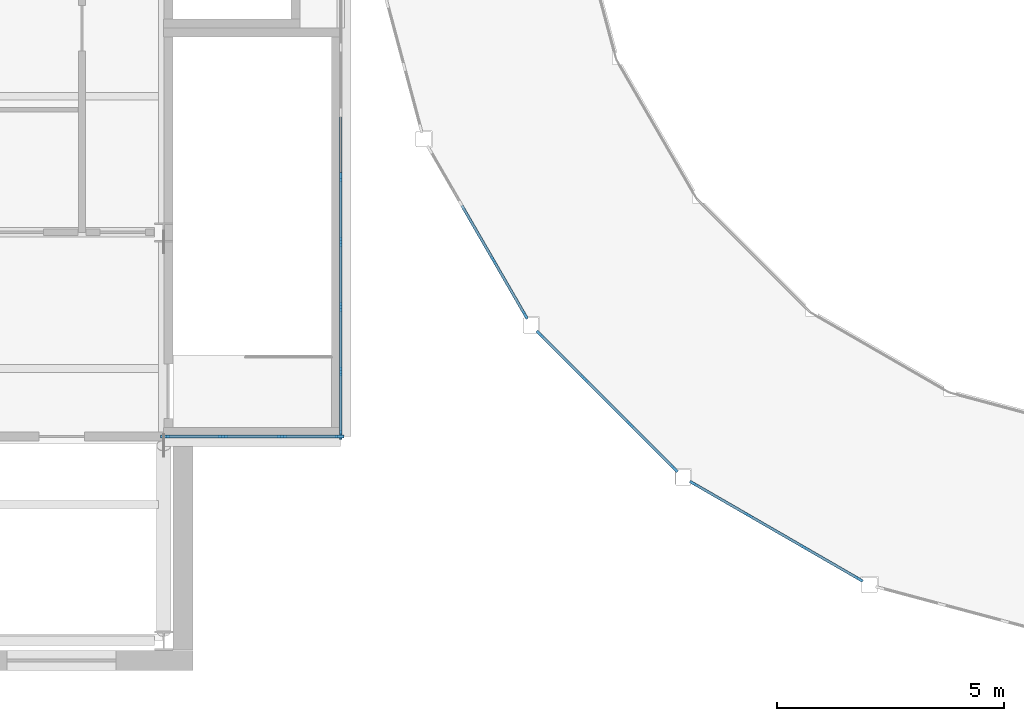
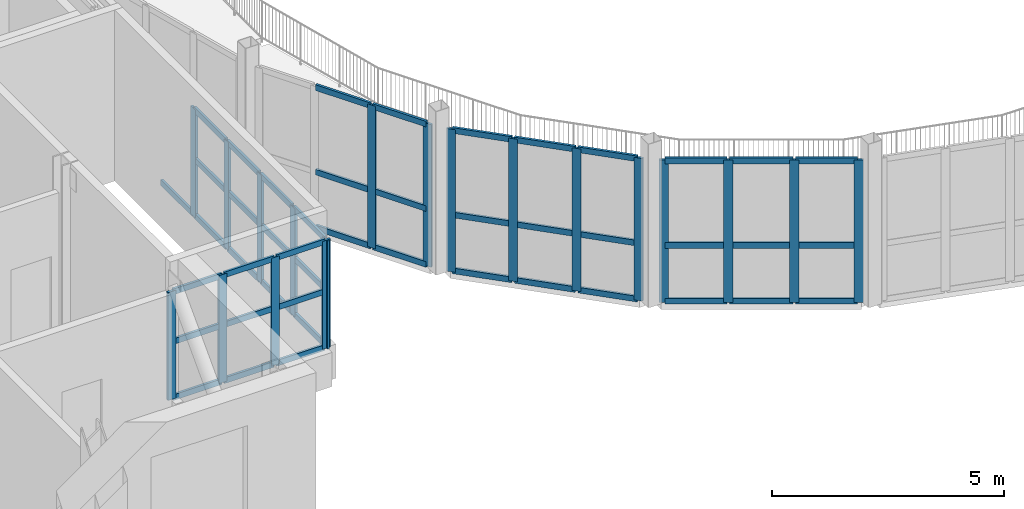
# One storey, part 12 of 74: 65 members, 5 elements without a shape of their own.
"""IFC4 building model written with IfcOpenShell, lengths in metres."""

from ifc_helpers import new_model, si_unit, direction, frame, origin, origin_2d, place, context, subcontext, project, spatial, rectangle, extrude, material, layer, layer_set, material_profile, profile_set, type_object, element, aggregate, save


model = new_model("IFC4")

# Units and contexts
model_context = context("Model", 3, precision=1e-05, world=origin(), true_north=direction((0.0, 1.0)))
body_context = subcontext(model_context, "Body", "Model", "MODEL_VIEW")
ifc_project = project(units=[si_unit("LENGTHUNIT", "METRE"), si_unit("AREAUNIT", "SQUARE_METRE"), si_unit("VOLUMEUNIT", "CUBIC_METRE"), si_unit("PLANEANGLEUNIT", "RADIAN"), si_unit("MASSUNIT", "GRAM", prefix="KILO")], contexts=[model_context])

# Site, building, storey
site_placement = place(None, origin())
site = spatial("IfcSite", under=ifc_project, at=site_placement, CompositionType="ELEMENT")
building_placement = place(site_placement, origin())
building = spatial("IfcBuilding", under=site, at=building_placement, Name="Hortulan Conservatory and Botanical Research Centre", CompositionType="ELEMENT")
storey_placement = place(building_placement, frame((0.0, 0.0, 6.0)))
storey = spatial("IfcBuildingStorey", under=building, at=storey_placement, Name="L01", CompositionType="ELEMENT", Elevation=6.0)

# Curtain wall, members
ifc_material = material(Name="Bronze-finished aluminium", Category="aluminium")
ifc_layer = layer(ifc_material, 0.10009765625)
ifc_layer_set = layer_set([ifc_layer], Name="Bronze-framed Curtain Wall 1500 module")
curtain_wall_type = type_object("IfcCurtainWallType", Name="Bronze-framed Curtain Wall 1500 module", PredefinedType="NOTDEFINED", material=ifc_layer_set)
curtain_wall_1_placement = place(storey_placement, origin())
curtain_wall_1 = element("IfcCurtainWall", 1, at=curtain_wall_1_placement, inside=storey, type_object=curtain_wall_type, Name="Curtain wall", PredefinedType="NOTDEFINED")
ifc_material_profile_1 = material_profile(ifc_material, rectangle(XDim=0.06005859375, YDim=0.199951171875, at=origin_2d()), Name="Bronze Mullion 60x200")
ifc_profile_set_1 = profile_set([ifc_material_profile_1], Name="Bronze-finished aluminium")
member_type_1 = type_object("IfcMemberType", Name="Bronze Mullion 60x200", PredefinedType="MULLION", material=ifc_profile_set_1)
member_1_placement = place(storey_placement, frame((39.461669921875, 7.18115234375, 0.0), z_axis=(0.0, 0.0, 1.0), x_axis=(-0.866036280655, -0.499981160235, 0.0)))
member_1 = element("IfcMember", 2, at=member_1_placement, type_object=member_type_1, Name="CW1 mullion 1", PredefinedType="MULLION", context=body_context, shape_type="SweptSolid", body=[
    extrude(rectangle(XDim=0.06005859375, YDim=0.199951171875, at=origin_2d()), origin(), (0.0, 0.0, 1.0), 3.75),
])
member_2_placement = place(storey_placement, frame((38.7666015625, 8.385009765625, 0.0), z_axis=(0.0, 0.0, 1.0), x_axis=(-0.866036280655, -0.499981160235, 0.0)))
member_2 = element("IfcMember", 3, at=member_2_placement, type_object=member_type_1, Name="CW1 mullion 2", PredefinedType="MULLION", context=body_context, shape_type="SweptSolid", body=[
    extrude(rectangle(XDim=0.06005859375, YDim=0.199951171875, at=origin_2d()), origin(), (0.0, 0.0, 1.0), 3.75),
])

curtain_wall_2_placement = place(storey_placement, origin())
curtain_wall_2 = element("IfcCurtainWall", 4, at=curtain_wall_2_placement, inside=storey, type_object=curtain_wall_type, Name="Curtain wall", PredefinedType="NOTDEFINED")
member_3_placement = place(storey_placement, frame((42.751708984375, 3.792236328125, 0.0), z_axis=(0.0, 0.0, 1.0), x_axis=(-0.707130335318, -0.70708322627, 0.0)))
member_3 = element("IfcMember", 5, at=member_3_placement, type_object=member_type_1, Name="CW1 mullion 1", PredefinedType="MULLION", context=body_context, shape_type="SweptSolid", body=[
    extrude(rectangle(XDim=0.06005859375, YDim=0.199951171875, at=origin_2d()), origin(), (0.0, 0.0, 1.0), 3.75),
])
member_4_placement = place(storey_placement, frame((41.7724609375, 4.771728515625, 0.0), z_axis=(0.0, 0.0, 1.0), x_axis=(-0.707130335318, -0.70708322627, 0.0)))
member_4 = element("IfcMember", 6, at=member_4_placement, type_object=member_type_1, Name="CW1 mullion 2", PredefinedType="MULLION", context=body_context, shape_type="SweptSolid", body=[
    extrude(rectangle(XDim=0.06005859375, YDim=0.199951171875, at=origin_2d()), origin(), (0.0, 0.0, 1.0), 3.75),
])
member_5_placement = place(storey_placement, frame((40.771728515625, 5.7724609375, 0.0), z_axis=(0.0, 0.0, 1.0), x_axis=(-0.707130335318, -0.70708322627, 0.0)))
member_5 = element("IfcMember", 7, at=member_5_placement, type_object=member_type_1, Name="CW1 mullion 3", PredefinedType="MULLION", context=body_context, shape_type="SweptSolid", body=[
    extrude(rectangle(XDim=0.06005859375, YDim=0.199951171875, at=origin_2d()), origin(), (0.0, 0.0, 1.0), 3.75),
])
member_6_placement = place(storey_placement, frame((39.792236328125, 6.751953125, 0.0), z_axis=(0.0, 0.0, 1.0), x_axis=(-0.707130335318, -0.70708322627, 0.0)))
member_6 = element("IfcMember", 8, at=member_6_placement, type_object=member_type_1, Name="CW1 mullion 4", PredefinedType="MULLION", context=body_context, shape_type="SweptSolid", body=[
    extrude(rectangle(XDim=0.06005859375, YDim=0.199951171875, at=origin_2d()), origin(), (0.0, 0.0, 1.0), 3.75),
])

curtain_wall_3_placement = place(storey_placement, origin())
curtain_wall_3 = element("IfcCurtainWall", 9, at=curtain_wall_3_placement, inside=storey, type_object=curtain_wall_type, Name="Curtain wall", PredefinedType="NOTDEFINED")
member_7_placement = place(storey_placement, frame((46.81884765625, 1.361328125, 0.0), z_axis=(0.0, 0.0, 1.0), x_axis=(-0.499981160235, -0.866036280655, 0.0)))
member_7 = element("IfcMember", 10, at=member_7_placement, type_object=member_type_1, Name="CW1 mullion 1", PredefinedType="MULLION", context=body_context, shape_type="SweptSolid", body=[
    extrude(rectangle(XDim=0.06005859375, YDim=0.199951171875, at=origin_2d()), origin(), (0.0, 0.0, 1.0), 3.75),
])
member_8_placement = place(storey_placement, frame((45.614990234375, 2.056396484375, 0.0), z_axis=(0.0, 0.0, 1.0), x_axis=(-0.499981160235, -0.866036280655, 0.0)))
member_8 = element("IfcMember", 11, at=member_8_placement, type_object=member_type_1, Name="CW1 mullion 2", PredefinedType="MULLION", context=body_context, shape_type="SweptSolid", body=[
    extrude(rectangle(XDim=0.06005859375, YDim=0.199951171875, at=origin_2d()), origin(), (0.0, 0.0, 1.0), 3.75),
])
member_9_placement = place(storey_placement, frame((44.385009765625, 2.7666015625, 0.0), z_axis=(0.0, 0.0, 1.0), x_axis=(-0.499981160235, -0.866036280655, 0.0)))
member_9 = element("IfcMember", 12, at=member_9_placement, type_object=member_type_1, Name="CW1 mullion 3", PredefinedType="MULLION", context=body_context, shape_type="SweptSolid", body=[
    extrude(rectangle(XDim=0.06005859375, YDim=0.199951171875, at=origin_2d()), origin(), (0.0, 0.0, 1.0), 3.75),
])
member_10_placement = place(storey_placement, frame((43.18115234375, 3.461669921875, 0.0), z_axis=(0.0, 0.0, 1.0), x_axis=(-0.499981160235, -0.866036280655, 0.0)))
member_10 = element("IfcMember", 13, at=member_10_placement, type_object=member_type_1, Name="CW1 mullion 4", PredefinedType="MULLION", context=body_context, shape_type="SweptSolid", body=[
    extrude(rectangle(XDim=0.06005859375, YDim=0.199951171875, at=origin_2d()), origin(), (0.0, 0.0, 1.0), 3.75),
])

curtain_wall_4_placement = place(storey_placement, origin())
curtain_wall_4 = element("IfcCurtainWall", 14, at=curtain_wall_4_placement, inside=storey, type_object=curtain_wall_type, Name="Curtain wall", PredefinedType="NOTDEFINED")
member_11_placement = place(storey_placement, frame((35.3701171875, 4.5, 0.89990234375), z_axis=(0.0, 0.0, 1.0), x_axis=(0.0, -1.0, 0.0)))
member_11 = element("IfcMember", 15, at=member_11_placement, type_object=member_type_1, Name="CW1 mullion 1", PredefinedType="MULLION", context=body_context, shape_type="SweptSolid", body=[
    extrude(rectangle(XDim=0.06005859375, YDim=0.199951171875, at=origin_2d()), origin(), (0.0, 0.0, 1.0), 2.840087890625),
])
member_12_placement = place(storey_placement, frame((34.10009765625, 4.5, 0.89990234375), z_axis=(0.0, 0.0, 1.0), x_axis=(0.0, -1.0, 0.0)))
member_12 = element("IfcMember", 16, at=member_12_placement, type_object=member_type_1, Name="CW1 mullion 2", PredefinedType="MULLION", context=body_context, shape_type="SweptSolid", body=[
    extrude(rectangle(XDim=0.06005859375, YDim=0.199951171875, at=origin_2d()), origin(), (0.0, 0.0, 1.0), 2.840087890625),
])
member_13_placement = place(storey_placement, frame((32.800048828125, 4.5, 0.89990234375), z_axis=(0.0, 0.0, 1.0), x_axis=(0.0, -1.0, 0.0)))
member_13 = element("IfcMember", 17, at=member_13_placement, type_object=member_type_1, Name="CW1 mullion 3", PredefinedType="MULLION", context=body_context, shape_type="SweptSolid", body=[
    extrude(rectangle(XDim=0.06005859375, YDim=0.199951171875, at=origin_2d()), origin(), (0.0, 0.0, 1.0), 2.840087890625),
])
member_14_placement = place(storey_placement, frame((31.530029296875, 4.5, 0.89990234375), z_axis=(0.0, 0.0, 1.0), x_axis=(0.0, -1.0, 0.0)))
member_14 = element("IfcMember", 18, at=member_14_placement, type_object=member_type_1, Name="CW1 mullion 4", PredefinedType="MULLION", context=body_context, shape_type="SweptSolid", body=[
    extrude(rectangle(XDim=0.06005859375, YDim=0.199951171875, at=origin_2d()), origin(), (0.0, 0.0, 1.0), 2.840087890625),
])

curtain_wall_5_placement = place(storey_placement, origin())
curtain_wall_5 = element("IfcCurtainWall", 19, at=curtain_wall_5_placement, inside=storey, type_object=curtain_wall_type, Name="Curtain wall", PredefinedType="NOTDEFINED")
member_15_placement = place(storey_placement, frame((35.39990234375, 10.215087890625, 0.89990234375), z_axis=(0.0, 0.0, 1.0), x_axis=(1.0, 0.0, 0.0)))
member_15 = element("IfcMember", 20, at=member_15_placement, type_object=member_type_1, Name="CW1 mullion 5", PredefinedType="MULLION", context=body_context, shape_type="SweptSolid", body=[
    extrude(rectangle(XDim=0.06005859375, YDim=0.199951171875, at=origin_2d()), origin(), (0.0, 0.0, 1.0), 2.840087890625),
])
member_16_placement = place(storey_placement, frame((35.39990234375, 8.786376953125, 0.89990234375), z_axis=(0.0, 0.0, 1.0), x_axis=(1.0, 0.0, 0.0)))
member_16 = element("IfcMember", 21, at=member_16_placement, type_object=member_type_1, Name="CW1 mullion 6", PredefinedType="MULLION", context=body_context, shape_type="SweptSolid", body=[
    extrude(rectangle(XDim=0.06005859375, YDim=0.199951171875, at=origin_2d()), origin(), (0.0, 0.0, 1.0), 2.840087890625),
])
member_17_placement = place(storey_placement, frame((35.39990234375, 7.357666015625, 0.89990234375), z_axis=(0.0, 0.0, 1.0), x_axis=(1.0, 0.0, 0.0)))
member_17 = element("IfcMember", 22, at=member_17_placement, type_object=member_type_1, Name="CW1 mullion 7", PredefinedType="MULLION", context=body_context, shape_type="SweptSolid", body=[
    extrude(rectangle(XDim=0.06005859375, YDim=0.199951171875, at=origin_2d()), origin(), (0.0, 0.0, 1.0), 2.840087890625),
])
member_18_placement = place(storey_placement, frame((35.39990234375, 5.9287109375, 0.89990234375), z_axis=(0.0, 0.0, 1.0), x_axis=(1.0, 0.0, 0.0)))
member_18 = element("IfcMember", 23, at=member_18_placement, type_object=member_type_1, Name="CW1 mullion 8", PredefinedType="MULLION", context=body_context, shape_type="SweptSolid", body=[
    extrude(rectangle(XDim=0.06005859375, YDim=0.199951171875, at=origin_2d()), origin(), (0.0, 0.0, 1.0), 2.840087890625),
])
member_19_placement = place(storey_placement, frame((35.39990234375, 4.530029296875, 0.89990234375), z_axis=(0.0, 0.0, 1.0), x_axis=(1.0, 0.0, 0.0)))
member_19 = element("IfcMember", 24, at=member_19_placement, type_object=member_type_1, Name="CW1 mullion 9", PredefinedType="MULLION", context=body_context, shape_type="SweptSolid", body=[
    extrude(rectangle(XDim=0.06005859375, YDim=0.199951171875, at=origin_2d()), origin(), (0.0, 0.0, 1.0), 2.840087890625),
])

# Member
ifc_material_profile_2 = material_profile(ifc_material, rectangle(XDim=0.06005859375, YDim=0.14990234375, at=origin_2d()), Name="Bronze Transom 60x150")
ifc_profile_set_2 = profile_set([ifc_material_profile_2], Name="Bronze-finished aluminium")
member_type_2 = type_object("IfcMemberType", Name="Bronze Transom 60x150", PredefinedType="USERDEFINED", material=ifc_profile_set_2)
member_20_placement = place(storey_placement, frame((39.446533203125, 7.20703125, 0.030029296875), z_axis=(-0.499928984136, 0.866066400931, 0.0), x_axis=(-0.866066400931, -0.499928984136, 0.0)))
member_20 = element("IfcMember", 25, at=member_20_placement, type_object=member_type_2, Name="CW1 transom 1.1", ObjectType="TRANSOM", PredefinedType="USERDEFINED", context=body_context, shape_type="SweptSolid", body=[
    extrude(rectangle(XDim=0.06005859375, YDim=0.14990234375, at=origin_2d()), origin(), (0.0, 0.0, 1.0), 1.330322265625),
])

member_21_placement = place(storey_placement, frame((39.446533203125, 7.20703125, 1.5), z_axis=(-0.499928984136, 0.866066400931, 0.0), x_axis=(-0.866066400931, -0.499928984136, 0.0)))
member_21 = element("IfcMember", 26, at=member_21_placement, type_object=member_type_2, Name="CW1 transom 1.2", ObjectType="TRANSOM", PredefinedType="USERDEFINED", context=body_context, shape_type="SweptSolid", body=[
    extrude(rectangle(XDim=0.06005859375, YDim=0.14990234375, at=origin_2d()), origin(), (0.0, 0.0, 1.0), 1.330322265625),
])

member_22_placement = place(storey_placement, frame((39.446533203125, 7.20703125, 3.719970703125), z_axis=(-0.499928984136, 0.866066400931, 0.0), x_axis=(-0.866066400931, -0.499928984136, 0.0)))
member_22 = element("IfcMember", 27, at=member_22_placement, type_object=member_type_2, Name="CW1 transom 1.3", ObjectType="TRANSOM", PredefinedType="USERDEFINED", context=body_context, shape_type="SweptSolid", body=[
    extrude(rectangle(XDim=0.06005859375, YDim=0.14990234375, at=origin_2d()), origin(), (0.0, 0.0, 1.0), 1.330322265625),
])

member_23_placement = place(storey_placement, frame((38.75146484375, 8.4111328125, 0.030029296875), z_axis=(-0.499981459473, 0.866036107898, 0.0), x_axis=(-0.866036107898, -0.499981459473, 0.0)))
member_23 = element("IfcMember", 28, at=member_23_placement, type_object=member_type_2, Name="CW1 transom 2.1", ObjectType="TRANSOM", PredefinedType="USERDEFINED", context=body_context, shape_type="SweptSolid", body=[
    extrude(rectangle(XDim=0.06005859375, YDim=0.14990234375, at=origin_2d()), origin(), (0.0, 0.0, 1.0), 1.35986328125),
])

member_24_placement = place(storey_placement, frame((38.75146484375, 8.4111328125, 1.5), z_axis=(-0.499981459473, 0.866036107898, 0.0), x_axis=(-0.866036107898, -0.499981459473, 0.0)))
member_24 = element("IfcMember", 29, at=member_24_placement, type_object=member_type_2, Name="CW1 transom 2.2", ObjectType="TRANSOM", PredefinedType="USERDEFINED", context=body_context, shape_type="SweptSolid", body=[
    extrude(rectangle(XDim=0.06005859375, YDim=0.14990234375, at=origin_2d()), origin(), (0.0, 0.0, 1.0), 1.35986328125),
])

member_25_placement = place(storey_placement, frame((38.75146484375, 8.4111328125, 3.719970703125), z_axis=(-0.499981459473, 0.866036107898, 0.0), x_axis=(-0.866036107898, -0.499981459473, 0.0)))
member_25 = element("IfcMember", 30, at=member_25_placement, type_object=member_type_2, Name="CW1 transom 2.3", ObjectType="TRANSOM", PredefinedType="USERDEFINED", context=body_context, shape_type="SweptSolid", body=[
    extrude(rectangle(XDim=0.06005859375, YDim=0.14990234375, at=origin_2d()), origin(), (0.0, 0.0, 1.0), 1.35986328125),
])

aggregate(curtain_wall_1, [member_1, member_2, member_20, member_21, member_22, member_23, member_24, member_25])

member_26_placement = place(storey_placement, frame((42.73046875, 3.8134765625, 0.030029296875), z_axis=(-0.707014644009, 0.70719890636, 0.0), x_axis=(-0.70719890636, -0.707014644009, 0.0)))
member_26 = element("IfcMember", 31, at=member_26_placement, type_object=member_type_2, Name="CW1 transom 1.1", ObjectType="TRANSOM", PredefinedType="USERDEFINED", context=body_context, shape_type="SweptSolid", body=[
    extrude(rectangle(XDim=0.06005859375, YDim=0.14990234375, at=origin_2d()), origin(), (0.0, 0.0, 1.0), 1.324951171875),
])

member_27_placement = place(storey_placement, frame((42.73046875, 3.8134765625, 1.5), z_axis=(-0.707014644009, 0.70719890636, 0.0), x_axis=(-0.70719890636, -0.707014644009, 0.0)))
member_27 = element("IfcMember", 32, at=member_27_placement, type_object=member_type_2, Name="CW1 transom 1.2", ObjectType="TRANSOM", PredefinedType="USERDEFINED", context=body_context, shape_type="SweptSolid", body=[
    extrude(rectangle(XDim=0.06005859375, YDim=0.14990234375, at=origin_2d()), origin(), (0.0, 0.0, 1.0), 1.324951171875),
])

member_28_placement = place(storey_placement, frame((42.73046875, 3.8134765625, 3.719970703125), z_axis=(-0.707014644009, 0.70719890636, 0.0), x_axis=(-0.70719890636, -0.707014644009, 0.0)))
member_28 = element("IfcMember", 33, at=member_28_placement, type_object=member_type_2, Name="CW1 transom 1.3", ObjectType="TRANSOM", PredefinedType="USERDEFINED", context=body_context, shape_type="SweptSolid", body=[
    extrude(rectangle(XDim=0.06005859375, YDim=0.14990234375, at=origin_2d()), origin(), (0.0, 0.0, 1.0), 1.324951171875),
])

member_29_placement = place(storey_placement, frame((41.751220703125, 4.79296875, 0.030029296875), z_axis=(-0.707106781187, 0.707106781187, 0.0), x_axis=(-0.707106781187, -0.707106781187, 0.0)))
member_29 = element("IfcMember", 34, at=member_29_placement, type_object=member_type_2, Name="CW1 transom 2.1", ObjectType="TRANSOM", PredefinedType="USERDEFINED", context=body_context, shape_type="SweptSolid", body=[
    extrude(rectangle(XDim=0.06005859375, YDim=0.14990234375, at=origin_2d()), origin(), (0.0, 0.0, 1.0), 1.355224609375),
])

member_30_placement = place(storey_placement, frame((41.751220703125, 4.79296875, 1.5), z_axis=(-0.707106781187, 0.707106781187, 0.0), x_axis=(-0.707106781187, -0.707106781187, 0.0)))
member_30 = element("IfcMember", 35, at=member_30_placement, type_object=member_type_2, Name="CW1 transom 2.2", ObjectType="TRANSOM", PredefinedType="USERDEFINED", context=body_context, shape_type="SweptSolid", body=[
    extrude(rectangle(XDim=0.06005859375, YDim=0.14990234375, at=origin_2d()), origin(), (0.0, 0.0, 1.0), 1.355224609375),
])

member_31_placement = place(storey_placement, frame((41.751220703125, 4.79296875, 3.719970703125), z_axis=(-0.707106781187, 0.707106781187, 0.0), x_axis=(-0.707106781187, -0.707106781187, 0.0)))
member_31 = element("IfcMember", 36, at=member_31_placement, type_object=member_type_2, Name="CW1 transom 2.3", ObjectType="TRANSOM", PredefinedType="USERDEFINED", context=body_context, shape_type="SweptSolid", body=[
    extrude(rectangle(XDim=0.06005859375, YDim=0.14990234375, at=origin_2d()), origin(), (0.0, 0.0, 1.0), 1.355224609375),
])

member_32_placement = place(storey_placement, frame((40.75048828125, 5.793701171875, 0.030029296875), z_axis=(-0.707106781187, 0.707106781187, 0.0), x_axis=(-0.707106781187, -0.707106781187, 0.0)))
member_32 = element("IfcMember", 37, at=member_32_placement, type_object=member_type_2, Name="CW1 transom 3.1", ObjectType="TRANSOM", PredefinedType="USERDEFINED", context=body_context, shape_type="SweptSolid", body=[
    extrude(rectangle(XDim=0.06005859375, YDim=0.14990234375, at=origin_2d()), origin(), (0.0, 0.0, 1.0), 1.3251953125),
])

member_33_placement = place(storey_placement, frame((40.75048828125, 5.793701171875, 1.5), z_axis=(-0.707106781187, 0.707106781187, 0.0), x_axis=(-0.707106781187, -0.707106781187, 0.0)))
member_33 = element("IfcMember", 38, at=member_33_placement, type_object=member_type_2, Name="CW1 transom 3.2", ObjectType="TRANSOM", PredefinedType="USERDEFINED", context=body_context, shape_type="SweptSolid", body=[
    extrude(rectangle(XDim=0.06005859375, YDim=0.14990234375, at=origin_2d()), origin(), (0.0, 0.0, 1.0), 1.3251953125),
])

member_34_placement = place(storey_placement, frame((40.75048828125, 5.793701171875, 3.719970703125), z_axis=(-0.707106781187, 0.707106781187, 0.0), x_axis=(-0.707106781187, -0.707106781187, 0.0)))
member_34 = element("IfcMember", 39, at=member_34_placement, type_object=member_type_2, Name="CW1 transom 3.3", ObjectType="TRANSOM", PredefinedType="USERDEFINED", context=body_context, shape_type="SweptSolid", body=[
    extrude(rectangle(XDim=0.06005859375, YDim=0.14990234375, at=origin_2d()), origin(), (0.0, 0.0, 1.0), 1.3251953125),
])

aggregate(curtain_wall_2, [member_3, member_4, member_5, member_6, member_26, member_27, member_28, member_29, member_30, member_31, member_32, member_33, member_34])

member_35_placement = place(storey_placement, frame((46.79296875, 1.37646484375, 0.030029296875), z_axis=(-0.866066400931, 0.499928984136, 0.0), x_axis=(-0.499928984136, -0.866066400931, 0.0)))
member_35 = element("IfcMember", 40, at=member_35_placement, type_object=member_type_2, Name="CW1 transom 1.1", ObjectType="TRANSOM", PredefinedType="USERDEFINED", context=body_context, shape_type="SweptSolid", body=[
    extrude(rectangle(XDim=0.06005859375, YDim=0.14990234375, at=origin_2d()), origin(), (0.0, 0.0, 1.0), 1.330322265625),
])

member_36_placement = place(storey_placement, frame((46.79296875, 1.37646484375, 1.5), z_axis=(-0.866066400931, 0.499928984136, 0.0), x_axis=(-0.499928984136, -0.866066400931, 0.0)))
member_36 = element("IfcMember", 41, at=member_36_placement, type_object=member_type_2, Name="CW1 transom 1.2", ObjectType="TRANSOM", PredefinedType="USERDEFINED", context=body_context, shape_type="SweptSolid", body=[
    extrude(rectangle(XDim=0.06005859375, YDim=0.14990234375, at=origin_2d()), origin(), (0.0, 0.0, 1.0), 1.330322265625),
])

member_37_placement = place(storey_placement, frame((46.79296875, 1.37646484375, 3.719970703125), z_axis=(-0.866066400931, 0.499928984136, 0.0), x_axis=(-0.499928984136, -0.866066400931, 0.0)))
member_37 = element("IfcMember", 42, at=member_37_placement, type_object=member_type_2, Name="CW1 transom 1.3", ObjectType="TRANSOM", PredefinedType="USERDEFINED", context=body_context, shape_type="SweptSolid", body=[
    extrude(rectangle(XDim=0.06005859375, YDim=0.14990234375, at=origin_2d()), origin(), (0.0, 0.0, 1.0), 1.330322265625),
])

member_38_placement = place(storey_placement, frame((45.5888671875, 2.071533203125, 0.030029296875), z_axis=(-0.866036107898, 0.499981459473, 0.0), x_axis=(-0.499981459473, -0.866036107898, 0.0)))
member_38 = element("IfcMember", 43, at=member_38_placement, type_object=member_type_2, Name="CW1 transom 2.1", ObjectType="TRANSOM", PredefinedType="USERDEFINED", context=body_context, shape_type="SweptSolid", body=[
    extrude(rectangle(XDim=0.06005859375, YDim=0.14990234375, at=origin_2d()), origin(), (0.0, 0.0, 1.0), 1.35986328125),
])

member_39_placement = place(storey_placement, frame((45.5888671875, 2.071533203125, 1.5), z_axis=(-0.866036107898, 0.499981459473, 0.0), x_axis=(-0.499981459473, -0.866036107898, 0.0)))
member_39 = element("IfcMember", 44, at=member_39_placement, type_object=member_type_2, Name="CW1 transom 2.2", ObjectType="TRANSOM", PredefinedType="USERDEFINED", context=body_context, shape_type="SweptSolid", body=[
    extrude(rectangle(XDim=0.06005859375, YDim=0.14990234375, at=origin_2d()), origin(), (0.0, 0.0, 1.0), 1.35986328125),
])

member_40_placement = place(storey_placement, frame((45.5888671875, 2.071533203125, 3.719970703125), z_axis=(-0.866036107898, 0.499981459473, 0.0), x_axis=(-0.499981459473, -0.866036107898, 0.0)))
member_40 = element("IfcMember", 45, at=member_40_placement, type_object=member_type_2, Name="CW1 transom 2.3", ObjectType="TRANSOM", PredefinedType="USERDEFINED", context=body_context, shape_type="SweptSolid", body=[
    extrude(rectangle(XDim=0.06005859375, YDim=0.14990234375, at=origin_2d()), origin(), (0.0, 0.0, 1.0), 1.35986328125),
])

member_41_placement = place(storey_placement, frame((44.359130859375, 2.781494140625, 0.030029296875), z_axis=(-0.866066400931, 0.499928984136, 0.0), x_axis=(-0.499928984136, -0.866066400931, 0.0)))
member_41 = element("IfcMember", 46, at=member_41_placement, type_object=member_type_2, Name="CW1 transom 3.1", ObjectType="TRANSOM", PredefinedType="USERDEFINED", context=body_context, shape_type="SweptSolid", body=[
    extrude(rectangle(XDim=0.06005859375, YDim=0.14990234375, at=origin_2d()), origin(), (0.0, 0.0, 1.0), 1.330322265625),
])

member_42_placement = place(storey_placement, frame((44.359130859375, 2.781494140625, 1.5), z_axis=(-0.866066400931, 0.499928984136, 0.0), x_axis=(-0.499928984136, -0.866066400931, 0.0)))
member_42 = element("IfcMember", 47, at=member_42_placement, type_object=member_type_2, Name="CW1 transom 3.2", ObjectType="TRANSOM", PredefinedType="USERDEFINED", context=body_context, shape_type="SweptSolid", body=[
    extrude(rectangle(XDim=0.06005859375, YDim=0.14990234375, at=origin_2d()), origin(), (0.0, 0.0, 1.0), 1.330322265625),
])

member_43_placement = place(storey_placement, frame((44.359130859375, 2.781494140625, 3.719970703125), z_axis=(-0.866066400931, 0.499928984136, 0.0), x_axis=(-0.499928984136, -0.866066400931, 0.0)))
member_43 = element("IfcMember", 48, at=member_43_placement, type_object=member_type_2, Name="CW1 transom 3.3", ObjectType="TRANSOM", PredefinedType="USERDEFINED", context=body_context, shape_type="SweptSolid", body=[
    extrude(rectangle(XDim=0.06005859375, YDim=0.14990234375, at=origin_2d()), origin(), (0.0, 0.0, 1.0), 1.330322265625),
])

aggregate(curtain_wall_3, [member_7, member_8, member_9, member_10, member_35, member_36, member_37, member_38, member_39, member_40, member_41, member_42, member_43])

member_44_placement = place(storey_placement, frame((35.340087890625, 4.5, 0.929931640625), z_axis=(-1.0, 0.0, 0.0), x_axis=(0.0, -1.0, 0.0)))
member_44 = element("IfcMember", 49, at=member_44_placement, type_object=member_type_2, Name="CW1 transom 1.1", ObjectType="TRANSOM", PredefinedType="USERDEFINED", context=body_context, shape_type="SweptSolid", body=[
    extrude(rectangle(XDim=0.06005859375, YDim=0.14990234375, at=origin_2d()), origin(), (0.0, 0.0, 1.0), 1.210205078125),
])

member_45_placement = place(storey_placement, frame((35.340087890625, 4.5, 2.39990234375), z_axis=(-1.0, 0.0, 0.0), x_axis=(0.0, -1.0, 0.0)))
member_45 = element("IfcMember", 50, at=member_45_placement, type_object=member_type_2, Name="CW1 transom 1.2", ObjectType="TRANSOM", PredefinedType="USERDEFINED", context=body_context, shape_type="SweptSolid", body=[
    extrude(rectangle(XDim=0.06005859375, YDim=0.14990234375, at=origin_2d()), origin(), (0.0, 0.0, 1.0), 1.210205078125),
])

member_46_placement = place(storey_placement, frame((35.340087890625, 4.5, 3.7099609375), z_axis=(-1.0, 0.0, 0.0), x_axis=(0.0, -1.0, 0.0)))
member_46 = element("IfcMember", 51, at=member_46_placement, type_object=member_type_2, Name="CW1 transom 1.3", ObjectType="TRANSOM", PredefinedType="USERDEFINED", context=body_context, shape_type="SweptSolid", body=[
    extrude(rectangle(XDim=0.06005859375, YDim=0.14990234375, at=origin_2d()), origin(), (0.0, 0.0, 1.0), 1.210205078125),
])

member_47_placement = place(storey_placement, frame((34.070068359375, 4.5, 0.929931640625), z_axis=(-1.0, 0.0, 0.0), x_axis=(0.0, -1.0, 0.0)))
member_47 = element("IfcMember", 52, at=member_47_placement, type_object=member_type_2, Name="CW1 transom 2.1", ObjectType="TRANSOM", PredefinedType="USERDEFINED", context=body_context, shape_type="SweptSolid", body=[
    extrude(rectangle(XDim=0.06005859375, YDim=0.14990234375, at=origin_2d()), origin(), (0.0, 0.0, 1.0), 1.239990234375),
])

member_48_placement = place(storey_placement, frame((34.070068359375, 4.5, 2.39990234375), z_axis=(-1.0, 0.0, 0.0), x_axis=(0.0, -1.0, 0.0)))
member_48 = element("IfcMember", 53, at=member_48_placement, type_object=member_type_2, Name="CW1 transom 2.2", ObjectType="TRANSOM", PredefinedType="USERDEFINED", context=body_context, shape_type="SweptSolid", body=[
    extrude(rectangle(XDim=0.06005859375, YDim=0.14990234375, at=origin_2d()), origin(), (0.0, 0.0, 1.0), 1.239990234375),
])

member_49_placement = place(storey_placement, frame((34.070068359375, 4.5, 3.7099609375), z_axis=(-1.0, 0.0, 0.0), x_axis=(0.0, -1.0, 0.0)))
member_49 = element("IfcMember", 54, at=member_49_placement, type_object=member_type_2, Name="CW1 transom 2.3", ObjectType="TRANSOM", PredefinedType="USERDEFINED", context=body_context, shape_type="SweptSolid", body=[
    extrude(rectangle(XDim=0.06005859375, YDim=0.14990234375, at=origin_2d()), origin(), (0.0, 0.0, 1.0), 1.239990234375),
])

member_50_placement = place(storey_placement, frame((32.77001953125, 4.5, 0.929931640625), z_axis=(-1.0, 0.0, 0.0), x_axis=(0.0, -1.0, 0.0)))
member_50 = element("IfcMember", 55, at=member_50_placement, type_object=member_type_2, Name="CW1 transom 3.1", ObjectType="TRANSOM", PredefinedType="USERDEFINED", context=body_context, shape_type="SweptSolid", body=[
    extrude(rectangle(XDim=0.06005859375, YDim=0.14990234375, at=origin_2d()), origin(), (0.0, 0.0, 1.0), 1.2099609375),
])

member_51_placement = place(storey_placement, frame((32.77001953125, 4.5, 2.39990234375), z_axis=(-1.0, 0.0, 0.0), x_axis=(0.0, -1.0, 0.0)))
member_51 = element("IfcMember", 56, at=member_51_placement, type_object=member_type_2, Name="CW1 transom 3.2", ObjectType="TRANSOM", PredefinedType="USERDEFINED", context=body_context, shape_type="SweptSolid", body=[
    extrude(rectangle(XDim=0.06005859375, YDim=0.14990234375, at=origin_2d()), origin(), (0.0, 0.0, 1.0), 1.2099609375),
])

member_52_placement = place(storey_placement, frame((32.77001953125, 4.5, 3.7099609375), z_axis=(-1.0, 0.0, 0.0), x_axis=(0.0, -1.0, 0.0)))
member_52 = element("IfcMember", 57, at=member_52_placement, type_object=member_type_2, Name="CW1 transom 3.3", ObjectType="TRANSOM", PredefinedType="USERDEFINED", context=body_context, shape_type="SweptSolid", body=[
    extrude(rectangle(XDim=0.06005859375, YDim=0.14990234375, at=origin_2d()), origin(), (0.0, 0.0, 1.0), 1.2099609375),
])

aggregate(curtain_wall_4, [member_11, member_12, member_13, member_14, member_44, member_45, member_46, member_47, member_48, member_49, member_50, member_51, member_52])

member_53_placement = place(storey_placement, frame((35.39990234375, 11.614013671875, 0.929931640625), z_axis=(0.0, -1.0, 0.0), x_axis=(1.0, 0.0, 0.0)))
member_53 = element("IfcMember", 58, at=member_53_placement, type_object=member_type_2, Name="CW1 transom 4.1", ObjectType="TRANSOM", PredefinedType="USERDEFINED", context=body_context, shape_type="SweptSolid", body=[
    extrude(rectangle(XDim=0.06005859375, YDim=0.14990234375, at=origin_2d()), origin(), (0.0, 0.0, 1.0), 1.368896484375),
])

member_54_placement = place(storey_placement, frame((35.39990234375, 10.18505859375, 0.929931640625), z_axis=(0.0, -1.0, 0.0), x_axis=(1.0, 0.0, 0.0)))
member_54 = element("IfcMember", 59, at=member_54_placement, type_object=member_type_2, Name="CW1 transom 5.1", ObjectType="TRANSOM", PredefinedType="USERDEFINED", context=body_context, shape_type="SweptSolid", body=[
    extrude(rectangle(XDim=0.06005859375, YDim=0.14990234375, at=origin_2d()), origin(), (0.0, 0.0, 1.0), 1.36865234375),
])

member_55_placement = place(storey_placement, frame((35.39990234375, 10.18505859375, 2.39990234375), z_axis=(0.0, -1.0, 0.0), x_axis=(1.0, 0.0, 0.0)))
member_55 = element("IfcMember", 60, at=member_55_placement, type_object=member_type_2, Name="CW1 transom 5.2", ObjectType="TRANSOM", PredefinedType="USERDEFINED", context=body_context, shape_type="SweptSolid", body=[
    extrude(rectangle(XDim=0.06005859375, YDim=0.14990234375, at=origin_2d()), origin(), (0.0, 0.0, 1.0), 1.36865234375),
])

member_56_placement = place(storey_placement, frame((35.39990234375, 10.18505859375, 3.7099609375), z_axis=(0.0, -1.0, 0.0), x_axis=(1.0, 0.0, 0.0)))
member_56 = element("IfcMember", 61, at=member_56_placement, type_object=member_type_2, Name="CW1 transom 5.3", ObjectType="TRANSOM", PredefinedType="USERDEFINED", context=body_context, shape_type="SweptSolid", body=[
    extrude(rectangle(XDim=0.06005859375, YDim=0.14990234375, at=origin_2d()), origin(), (0.0, 0.0, 1.0), 1.36865234375),
])

member_57_placement = place(storey_placement, frame((35.39990234375, 8.75634765625, 0.929931640625), z_axis=(0.0, -1.0, 0.0), x_axis=(1.0, 0.0, 0.0)))
member_57 = element("IfcMember", 62, at=member_57_placement, type_object=member_type_2, Name="CW1 transom 6.1", ObjectType="TRANSOM", PredefinedType="USERDEFINED", context=body_context, shape_type="SweptSolid", body=[
    extrude(rectangle(XDim=0.06005859375, YDim=0.14990234375, at=origin_2d()), origin(), (0.0, 0.0, 1.0), 1.36865234375),
])

member_58_placement = place(storey_placement, frame((35.39990234375, 8.75634765625, 2.39990234375), z_axis=(0.0, -1.0, 0.0), x_axis=(1.0, 0.0, 0.0)))
member_58 = element("IfcMember", 63, at=member_58_placement, type_object=member_type_2, Name="CW1 transom 6.2", ObjectType="TRANSOM", PredefinedType="USERDEFINED", context=body_context, shape_type="SweptSolid", body=[
    extrude(rectangle(XDim=0.06005859375, YDim=0.14990234375, at=origin_2d()), origin(), (0.0, 0.0, 1.0), 1.36865234375),
])

member_59_placement = place(storey_placement, frame((35.39990234375, 8.75634765625, 3.7099609375), z_axis=(0.0, -1.0, 0.0), x_axis=(1.0, 0.0, 0.0)))
member_59 = element("IfcMember", 64, at=member_59_placement, type_object=member_type_2, Name="CW1 transom 6.3", ObjectType="TRANSOM", PredefinedType="USERDEFINED", context=body_context, shape_type="SweptSolid", body=[
    extrude(rectangle(XDim=0.06005859375, YDim=0.14990234375, at=origin_2d()), origin(), (0.0, 0.0, 1.0), 1.36865234375),
])

member_60_placement = place(storey_placement, frame((35.39990234375, 7.32763671875, 0.929931640625), z_axis=(0.0, -1.0, 0.0), x_axis=(1.0, 0.0, 0.0)))
member_60 = element("IfcMember", 65, at=member_60_placement, type_object=member_type_2, Name="CW1 transom 7.1", ObjectType="TRANSOM", PredefinedType="USERDEFINED", context=body_context, shape_type="SweptSolid", body=[
    extrude(rectangle(XDim=0.06005859375, YDim=0.14990234375, at=origin_2d()), origin(), (0.0, 0.0, 1.0), 1.368896484375),
])

member_61_placement = place(storey_placement, frame((35.39990234375, 7.32763671875, 2.39990234375), z_axis=(0.0, -1.0, 0.0), x_axis=(1.0, 0.0, 0.0)))
member_61 = element("IfcMember", 66, at=member_61_placement, type_object=member_type_2, Name="CW1 transom 7.2", ObjectType="TRANSOM", PredefinedType="USERDEFINED", context=body_context, shape_type="SweptSolid", body=[
    extrude(rectangle(XDim=0.06005859375, YDim=0.14990234375, at=origin_2d()), origin(), (0.0, 0.0, 1.0), 1.368896484375),
])

member_62_placement = place(storey_placement, frame((35.39990234375, 7.32763671875, 3.7099609375), z_axis=(0.0, -1.0, 0.0), x_axis=(1.0, 0.0, 0.0)))
member_62 = element("IfcMember", 67, at=member_62_placement, type_object=member_type_2, Name="CW1 transom 7.3", ObjectType="TRANSOM", PredefinedType="USERDEFINED", context=body_context, shape_type="SweptSolid", body=[
    extrude(rectangle(XDim=0.06005859375, YDim=0.14990234375, at=origin_2d()), origin(), (0.0, 0.0, 1.0), 1.368896484375),
])

member_63_placement = place(storey_placement, frame((35.39990234375, 5.898681640625, 0.929931640625), z_axis=(0.0, -1.0, 0.0), x_axis=(1.0, 0.0, 0.0)))
member_63 = element("IfcMember", 68, at=member_63_placement, type_object=member_type_2, Name="CW1 transom 8.1", ObjectType="TRANSOM", PredefinedType="USERDEFINED", context=body_context, shape_type="SweptSolid", body=[
    extrude(rectangle(XDim=0.06005859375, YDim=0.14990234375, at=origin_2d()), origin(), (0.0, 0.0, 1.0), 1.338623046875),
])

member_64_placement = place(storey_placement, frame((35.39990234375, 5.898681640625, 2.39990234375), z_axis=(0.0, -1.0, 0.0), x_axis=(1.0, 0.0, 0.0)))
member_64 = element("IfcMember", 69, at=member_64_placement, type_object=member_type_2, Name="CW1 transom 8.2", ObjectType="TRANSOM", PredefinedType="USERDEFINED", context=body_context, shape_type="SweptSolid", body=[
    extrude(rectangle(XDim=0.06005859375, YDim=0.14990234375, at=origin_2d()), origin(), (0.0, 0.0, 1.0), 1.338623046875),
])

member_65_placement = place(storey_placement, frame((35.39990234375, 5.898681640625, 3.7099609375), z_axis=(0.0, -1.0, 0.0), x_axis=(1.0, 0.0, 0.0)))
member_65 = element("IfcMember", 70, at=member_65_placement, type_object=member_type_2, Name="CW1 transom 8.3", ObjectType="TRANSOM", PredefinedType="USERDEFINED", context=body_context, shape_type="SweptSolid", body=[
    extrude(rectangle(XDim=0.06005859375, YDim=0.14990234375, at=origin_2d()), origin(), (0.0, 0.0, 1.0), 1.338623046875),
])

aggregate(curtain_wall_5, [member_15, member_16, member_17, member_18, member_19, member_53, member_54, member_55, member_56, member_57, member_58, member_59, member_60, member_61, member_62, member_63, member_64, member_65])

save(model, "model.ifc")
